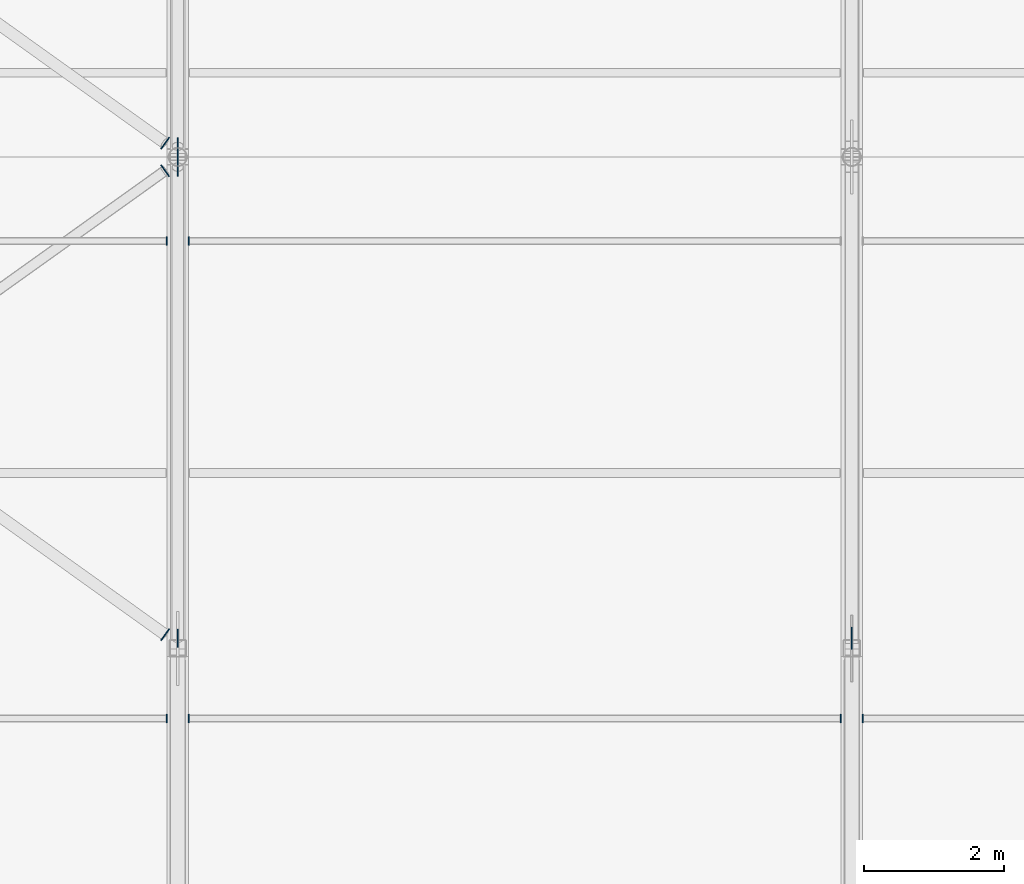
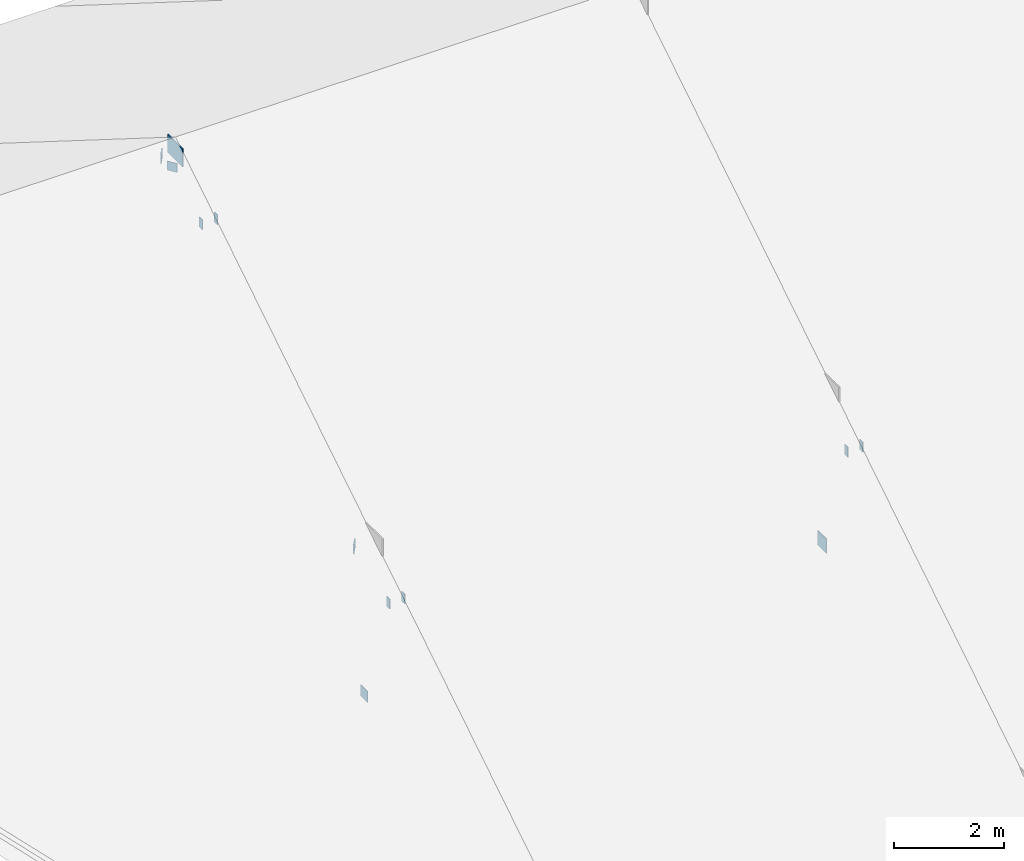
# One storey, part 47 of 66: 12 plates.
"""IFC4 building model written with IfcOpenShell, lengths in metres."""

from ifc_helpers import new_model, si_unit, direction, frame, origin, origin_2d, place, context, subcontext, project, spatial, rectangle, extrude, material, layer, layer_set, type_object, element, save


model = new_model("IFC4")

# Units and contexts
model_context = context("Model", 3, precision=1e-05, world=origin(), true_north=direction((0.0, 1.0)))
body_context = subcontext(model_context, "Body", "Model", "MODEL_VIEW")
ifc_project = project(units=[si_unit("LENGTHUNIT", "METRE"), si_unit("AREAUNIT", "SQUARE_METRE"), si_unit("VOLUMEUNIT", "CUBIC_METRE"), si_unit("PLANEANGLEUNIT", "RADIAN"), si_unit("MASSUNIT", "GRAM", prefix="KILO")], contexts=[model_context])

# Site, building, storey
site_placement = place(None, origin())
site = spatial("IfcSite", under=ifc_project, at=site_placement, CompositionType="ELEMENT")
building_placement = place(site_placement, origin())
building = spatial("IfcBuilding", under=site, at=building_placement, Name="Yeouljin Market Hall", CompositionType="ELEMENT")
storey_placement = place(building_placement, frame((0.0, 0.0, 23.39990234375)))
storey = spatial("IfcBuildingStorey", under=building, at=storey_placement, Name="RF", CompositionType="ELEMENT", Elevation=23.39990234375)

# Plates
ifc_material_1 = material(Name="Steel SM355", Category="steel")
ifc_layer_1 = layer(ifc_material_1, 0.01611328125)
ifc_layer_set_1 = layer_set([ifc_layer_1], Name="Steel SM355")
plate_type_1 = type_object("IfcPlateType", Name="CapPlate_200x200x16", PredefinedType="SHEET", material=ifc_layer_set_1)
for number, where, z_axis, x_axis, name in (
    (1, (112.02001953125, 56.80419921875, 0.623046875), (0.0, 0.0, 1.0), (-0.581697151818, 0.813405448449, 0.0), "Wind brace end-cap plate 0194"),
    (2, (112.02001953125, 50.19580078125, -3.78271484375), (0.0, 0.0, 1.0), (0.581697151818, 0.813405448449, 0.0), "Wind brace end-cap plate 0198"),
    (3, (112.02001953125, 57.19580078125, 0.623046875), (0.0, 0.0, 1.0), (0.581697151818, 0.813405448449, 0.0), "Wind brace end-cap plate 0204"),
):
    element("IfcPlate", number, at=place(storey_placement, frame(where, z_axis=z_axis, x_axis=x_axis)), inside=storey, type_object=plate_type_1, Name=name, PredefinedType="SHEET", context=body_context, shape_type="SweptSolid", body=[
        extrude(rectangle(XDim=0.199951171875, YDim=0.01611328125, at=origin_2d()), origin(), (0.0, 0.0, 1.0), 0.199951171875),
    ])
ifc_material_2 = material(Name="Steel SM355", Category="steel")
ifc_layer_2 = layer(ifc_material_2, 0.01611328125)
ifc_layer_set_2 = layer_set([ifc_layer_2], Name="Steel SM355")
plate_type_2 = type_object("IfcPlateType", Name="CapPlate_220x120x16", PredefinedType="SHEET", material=ifc_layer_set_2)
for number, where, z_axis, x_axis, name in (
    (4, (112.0419921875, 49.0, -4.318359375), (0.0, 0.0, 1.0), (0.0, 1.0, 0.0), "Purlin end-cap plate 0184"),
    (5, (112.0419921875, 55.800048828125, -0.0439453125), (0.0, 0.0, 1.0), (0.0, 1.0, 0.0), "Purlin end-cap plate 0186"),
    (6, (112.35791015625, 49.0, -4.318359375), (0.0, 0.0, 1.0), (0.0, 1.0, 0.0), "Purlin end-cap plate 0207"),
    (7, (121.64208984375, 49.0, -4.318359375), (0.0, 0.0, 1.0), (0.0, 1.0, 0.0), "Purlin end-cap plate 0208"),
    (8, (112.35791015625, 55.800048828125, -0.0439453125), (0.0, 0.0, 1.0), (0.0, 1.0, 0.0), "Purlin end-cap plate 0209"),
    (9, (121.9580078125, 49.0, -4.318359375), (0.0, 0.0, 1.0), (0.0, 1.0, 0.0), "Purlin end-cap plate 0219"),
):
    element("IfcPlate", number, at=place(storey_placement, frame(where, z_axis=z_axis, x_axis=x_axis)), inside=storey, type_object=plate_type_2, Name=name, PredefinedType="SHEET", context=body_context, shape_type="SweptSolid", body=[
        extrude(rectangle(XDim=0.1201171875, YDim=0.01611328125, at=origin_2d()), origin(), (0.0, 0.0, 1.0), 0.219970703125),
    ])
ifc_material_3 = material(Name="Steel SM355", Category="steel")
ifc_layer_3 = layer(ifc_material_3, 0.01611328125)
ifc_layer_set_3 = layer_set([ifc_layer_3], Name="Steel SM355")
plate_type_3 = type_object("IfcPlateType", Name="CapPlate_250x250x16", PredefinedType="SHEET", material=ifc_layer_set_3)
plate_1_placement = place(storey_placement, frame((112.199951171875, 50.144287109375, -7.103271484375), z_axis=(0.0, 0.0, 1.0), x_axis=(0.0, 1.0, 0.0)))
element("IfcPlate", 10, at=plate_1_placement, inside=storey, type_object=plate_type_3, Name="Hollow web end-cap plate 0034", PredefinedType="SHEET", context=body_context, shape_type="SweptSolid", body=[
    extrude(rectangle(XDim=0.25, YDim=0.01611328125, at=origin_2d()), origin(), (0.0, 0.0, 1.0), 0.25),
])
ifc_material_4 = material(Name="Steel SM355", Category="steel")
ifc_layer_4 = layer(ifc_material_4, 0.02001953125)
ifc_layer_set_4 = layer_set([ifc_layer_4], Name="Steel SM355")
plate_type_4 = type_object("IfcPlateType", Name="CapPlate_320x320x20", PredefinedType="SHEET", material=ifc_layer_set_4)
plate_2_placement = place(storey_placement, frame((121.800048828125, 50.144287109375, -7.13818359375), z_axis=(0.0, 0.0, 1.0), x_axis=(0.0, 1.0, 0.0)))
element("IfcPlate", 11, at=plate_2_placement, inside=storey, type_object=plate_type_4, Name="Hollow web end-cap plate 0038", PredefinedType="SHEET", context=body_context, shape_type="SweptSolid", body=[
    extrude(rectangle(XDim=0.320068359375, YDim=0.02001953125, at=origin_2d()), origin(), (0.0, 0.0, 1.0), 0.320068359375),
])
ifc_material_5 = material(Name="Steel SM355", Category="steel")
ifc_layer_5 = layer(ifc_material_5, 0.02001953125)
ifc_layer_set_5 = layer_set([ifc_layer_5], Name="Steel SM355")
plate_type_5 = type_object("IfcPlateType", Name="GussetPlate_550x400x20", PredefinedType="USERDEFINED", material=ifc_layer_set_5)
plate_3_placement = place(storey_placement, frame((112.199951171875, 57.0, 0.7001953125), z_axis=(0.0, 0.0, 1.0), x_axis=(0.0, 1.0, 0.0)))
element("IfcPlate", 12, at=plate_3_placement, inside=storey, type_object=plate_type_5, Name="Truss node gusset plate 043", ObjectType="GUSSET PLATE", PredefinedType="USERDEFINED", context=body_context, shape_type="SweptSolid", body=[
    extrude(rectangle(XDim=0.550048828125, YDim=0.02001953125, at=origin_2d()), origin(), (0.0, 0.0, 1.0), 0.39990234375),
])

save(model, "model.ifc")
